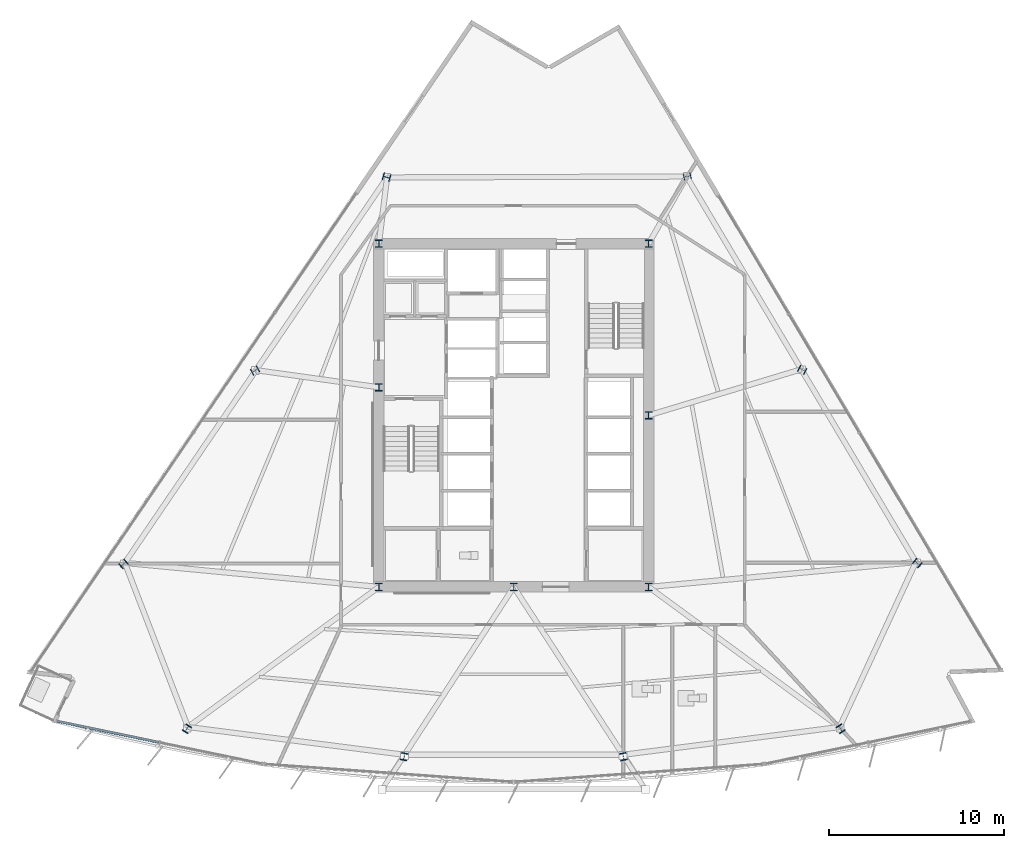
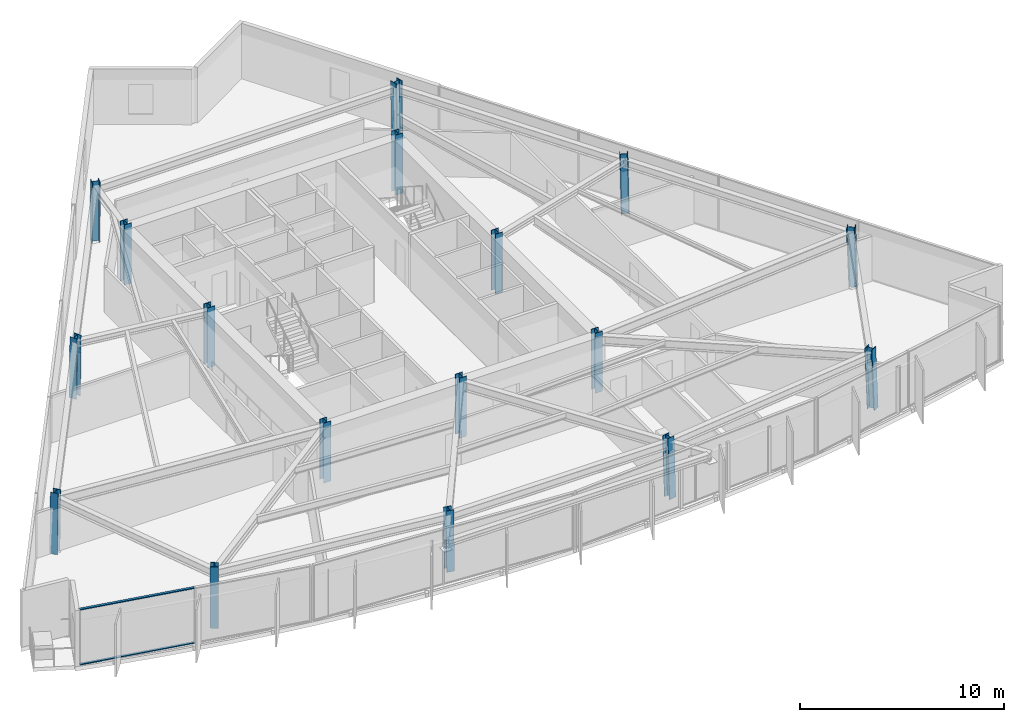
# One storey, part 1 of 15: 17 columns, 2 members, 1 element without a shape of its own.
"""IFC4 building model written with IfcOpenShell, lengths in metres."""

from ifc_helpers import new_model, si_unit, direction, frame, origin, origin_2d, place, context, subcontext, project, spatial, rectangle, i_section, extrude, material, material_profile, profile_set, type_object, element, aggregate, save


model = new_model("IFC4")

# Units and contexts
model_context = context("Model", 3, precision=1e-05, world=origin(), true_north=direction((0.0, 1.0)))
body_context = subcontext(model_context, "Body", "Model", "MODEL_VIEW")
ifc_project = project(units=[si_unit("LENGTHUNIT", "METRE"), si_unit("AREAUNIT", "SQUARE_METRE"), si_unit("VOLUMEUNIT", "CUBIC_METRE"), si_unit("PLANEANGLEUNIT", "RADIAN"), si_unit("MASSUNIT", "GRAM", prefix="KILO")], contexts=[model_context])

# Site, building, storey
site_placement = place(None, origin())
site = spatial("IfcSite", under=ifc_project, at=site_placement, CompositionType="ELEMENT")
building_placement = place(site_placement, origin())
building = spatial("IfcBuilding", under=site, at=building_placement, Name="Savorim Split Tower", CompositionType="ELEMENT")
storey_placement = place(building_placement, frame((0.0, 0.0, 111.300048828125)))
storey = spatial("IfcBuildingStorey", under=building, at=storey_placement, Name="L29", CompositionType="ELEMENT", Elevation=111.300048828125)

# Columns
ifc_material_1 = material(Name="Steel S460", Category="steel")
ifc_material_profile_1 = material_profile(ifc_material_1, i_section(OverallWidth=0.406005859375, OverallDepth=0.416015625, WebThickness=0.018798828125, FlangeThickness=0.031005859375, FilletRadius=0.014892578125, at=origin_2d()), Name="HD 400x382")
ifc_profile_set_1 = profile_set([ifc_material_profile_1], Name="Steel S460")
column_type_1 = type_object("IfcColumnType", Name="COL-HD-382", PredefinedType="COLUMN", material=ifc_profile_set_1)
column_1_placement = place(storey_placement, frame((-18.675048828125, -17.514404296875, 0.00537109375), z_axis=(0.020594847032, 0.03357707734, 0.999223914922), x_axis=(-0.852427604955, 0.522845271865, 0.0)))
element("IfcColumn", 1, at=column_1_placement, inside=storey, type_object=column_type_1, Name="L29 Tapered Perimeter Column PC-S1", PredefinedType="COLUMN", context=body_context, shape_type="SweptSolid", body=[
    extrude(i_section(OverallWidth=0.406005859375, OverallDepth=0.416015625, WebThickness=0.018798828125, FlangeThickness=0.031005859375, FilletRadius=0.014892578125, at=origin_2d()), origin(), (0.0, 0.0, 1.0), 3.591796875),
])
for number, where, z_axis, x_axis, name in (
    (2, (-6.259033203125, -19.1083984375, 0.00537109375), (0.00693381708, 0.03528089279, 0.999353381334), (-0.981229659911, 0.192842823335, 0.0), "L29 Tapered Perimeter Column PC-S2"),
    (3, (6.259033203125, -19.1083984375, 0.00537109375), (-0.00693381708, 0.03528089279, 0.999353381334), (-0.981229659911, -0.192842823335, 0.0), "L29 Tapered Perimeter Column PC-S3"),
):
    element("IfcColumn", number, at=place(storey_placement, frame(where, z_axis=z_axis, x_axis=x_axis)), inside=storey, type_object=column_type_1, Name=name, PredefinedType="COLUMN", context=body_context, shape_type="SweptSolid", body=[
        extrude(i_section(OverallWidth=0.406005859375, OverallDepth=0.416015625, WebThickness=0.018798828125, FlangeThickness=0.031005859375, FilletRadius=0.014892578125, at=origin_2d()), origin(), (0.0, 0.0, 1.0), 3.591552734375),
    ])
column_2_placement = place(storey_placement, frame((18.675048828125, -17.514404296875, 0.00537109375), z_axis=(-0.020594847032, 0.03357707734, 0.999223914922), x_axis=(-0.852427604955, -0.522845271865, 0.0)))
element("IfcColumn", 4, at=column_2_placement, inside=storey, type_object=column_type_1, Name="L29 Tapered Perimeter Column PC-S4", PredefinedType="COLUMN", context=body_context, shape_type="SweptSolid", body=[
    extrude(i_section(OverallWidth=0.406005859375, OverallDepth=0.416015625, WebThickness=0.018798828125, FlangeThickness=0.031005859375, FilletRadius=0.014892578125, at=origin_2d()), origin(), (0.0, 0.0, 1.0), 3.591796875),
])
column_3_placement = place(storey_placement, frame((23.05029296875, -8.053955078125, 0.00537109375), z_axis=(-0.026037725696, 0.021618790526, 0.9994271683), x_axis=(-0.638800249892, -0.769372628015, 0.0)))
element("IfcColumn", 5, at=column_3_placement, inside=storey, type_object=column_type_1, Name="L29 Tapered Perimeter Column PC-E1", PredefinedType="COLUMN", context=body_context, shape_type="SweptSolid", body=[
    extrude(i_section(OverallWidth=0.406005859375, OverallDepth=0.416015625, WebThickness=0.018798828125, FlangeThickness=0.031005859375, FilletRadius=0.014892578125, at=origin_2d()), origin(), (0.0, 0.0, 1.0), 3.591064453125),
])
column_4_placement = place(storey_placement, frame((16.481689453125, 2.992919921875, 0.00537109375), z_axis=(-0.018906041, 0.009521027842, 0.999775930718), x_axis=(-0.449781931574, -0.893138406984, 0.0)))
element("IfcColumn", 6, at=column_4_placement, inside=storey, type_object=column_type_1, Name="L29 Tapered Perimeter Column PC-E2", PredefinedType="COLUMN", context=body_context, shape_type="SweptSolid", body=[
    extrude(i_section(OverallWidth=0.406005859375, OverallDepth=0.416015625, WebThickness=0.018798828125, FlangeThickness=0.031005859375, FilletRadius=0.014892578125, at=origin_2d()), origin(), (0.0, 0.0, 1.0), 3.58984375),
])
for number, where, z_axis, x_axis, name in (
    (7, (9.9130859375, 14.039794921875, 0.00537109375), (-0.011767052893, -0.002584670578, 0.999927425339), (0.214538664031, -0.976715496773, 0.0), "L29 Tapered Perimeter Column PC-E3"),
    (8, (-7.26318359375, 13.990966796875, 0.00537109375), (0.008842560589, -0.00258474848, 0.999957563198), (0.280566991813, 0.959834445675, 0.0), "L29 Tapered Perimeter Column PC-W1"),
):
    element("IfcColumn", number, at=place(storey_placement, frame(where, z_axis=z_axis, x_axis=x_axis)), inside=storey, type_object=column_type_1, Name=name, PredefinedType="COLUMN", context=body_context, shape_type="SweptSolid", body=[
        extrude(i_section(OverallWidth=0.406005859375, OverallDepth=0.416015625, WebThickness=0.018798828125, FlangeThickness=0.031005859375, FilletRadius=0.014892578125, at=origin_2d()), origin(), (0.0, 0.0, 1.0), 3.58935546875),
    ])
column_5_placement = place(storey_placement, frame((-14.778076171875, 2.944091796875, 0.00537109375), z_axis=(0.017070406608, 0.009521342331, 0.99980895438), x_axis=(-0.487119351792, 0.873335409284, 0.0)))
element("IfcColumn", 9, at=column_5_placement, inside=storey, type_object=column_type_1, Name="L29 Tapered Perimeter Column PC-W2", PredefinedType="COLUMN", context=body_context, shape_type="SweptSolid", body=[
    extrude(i_section(OverallWidth=0.406005859375, OverallDepth=0.416015625, WebThickness=0.018798828125, FlangeThickness=0.031005859375, FilletRadius=0.014892578125, at=origin_2d()), origin(), (0.0, 0.0, 1.0), 3.58984375),
])
column_6_placement = place(storey_placement, frame((-22.29296875, -8.102783203125, 0.00537109375), z_axis=(0.025222449659, 0.021619242565, 0.999448065876), x_axis=(-0.650791373456, 0.759256602365, 0.0)))
element("IfcColumn", 10, at=column_6_placement, inside=storey, type_object=column_type_1, Name="L29 Tapered Perimeter Column PC-W3", PredefinedType="COLUMN", context=body_context, shape_type="SweptSolid", body=[
    extrude(i_section(OverallWidth=0.406005859375, OverallDepth=0.416015625, WebThickness=0.018798828125, FlangeThickness=0.031005859375, FilletRadius=0.014892578125, at=origin_2d()), origin(), (0.0, 0.0, 1.0), 3.591064453125),
])
ifc_material_profile_2 = material_profile(ifc_material_1, i_section(OverallWidth=0.408935546875, OverallDepth=0.425048828125, WebThickness=0.020751953125, FlangeThickness=0.033935546875, FilletRadius=0.014892578125, at=origin_2d()), Name="HD 400x421")
ifc_profile_set_2 = profile_set([ifc_material_profile_2], Name="Steel S460")
column_type_2 = type_object("IfcColumnType", Name="COL-HD-421", PredefinedType="COLUMN", material=ifc_profile_set_2)
for number, where, z_axis, x_axis, name in (
    (11, (-7.699951171875, -9.39990234375, 0.0), (0.0, 0.0, 1.0), (1.0, 0.0, 0.0), "L29 Core Structural Column TC-C1"),
    (12, (7.699951171875, -9.39990234375, 0.0), (0.0, 0.0, 1.0), (1.0, 0.0, 0.0), "L29 Core Structural Column TC-C2"),
    (13, (7.699951171875, 10.199951171875, 0.0), (0.0, 0.0, 1.0), (1.0, 0.0, 0.0), "L29 Core Structural Column TC-C3"),
    (14, (-7.699951171875, 10.199951171875, 0.0), (0.0, 0.0, 1.0), (1.0, 0.0, 0.0), "L29 Core Structural Column TC-C4"),
    (15, (0.0, -9.39990234375, 0.0), (0.0, 0.0, 1.0), (1.0, 0.0, 0.0), "L29 Core Structural Column TC-C5"),
    (16, (7.699951171875, 0.39990234375, 0.0), (0.0, 0.0, 1.0), (1.0, 0.0, 0.0), "L29 Core Structural Column TC-C6"),
    (17, (-7.699951171875, 2.0, 0.0), (0.0, 0.0, 1.0), (1.0, 0.0, 0.0), "L29 Core Structural Column TC-C7"),
):
    element("IfcColumn", number, at=place(storey_placement, frame(where, z_axis=z_axis, x_axis=x_axis)), inside=storey, type_object=column_type_2, Name=name, PredefinedType="COLUMN", context=body_context, shape_type="SweptSolid", body=[
        extrude(i_section(OverallWidth=0.408935546875, OverallDepth=0.425048828125, WebThickness=0.020751953125, FlangeThickness=0.033935546875, FilletRadius=0.014892578125, at=origin_2d()), origin(), (0.0, 0.0, 1.0), 3.599853515625),
    ])

# Curtain wall, members
ifc_material_2 = material(Name="Dark Ceramic-Fritted Insulated Glass", Category="glass")
curtain_wall_type = type_object("IfcCurtainWallType", Name="CW-TWR-FRIT-A", PredefinedType="NOTDEFINED", material=ifc_material_2)
curtain_wall_placement = place(storey_placement, origin())
curtain_wall = element("IfcCurtainWall", 18, at=curtain_wall_placement, inside=storey, type_object=curtain_wall_type, Name="L29 Curtain Wall CW-L29-SF1", PredefinedType="NOTDEFINED")
ifc_material_3 = material(Name="Charcoal Anodised Aluminium", Category="aluminium")
ifc_material_profile_3 = material_profile(ifc_material_3, rectangle(XDim=0.139892578125, YDim=0.054931640625, at=origin_2d()), Name="ALU-T 140x55")
ifc_profile_set_3 = profile_set([ifc_material_profile_3], Name="Charcoal Anodised Aluminium")
member_type = type_object("IfcMemberType", Name="CWT-140x55", PredefinedType="USERDEFINED", material=ifc_profile_set_3)
member_1_placement = place(storey_placement, frame((-26.0517578125, -17.065185546875, 0.02734375), z_axis=(0.979131977298, -0.203225419257, 0.0), x_axis=(0.203225419257, 0.979131977298, 0.0)))
member_1 = element("IfcMember", 19, at=member_1_placement, type_object=member_type, Name="CW-02 transom 1.1", ObjectType="TRANSOM", PredefinedType="USERDEFINED", context=body_context, shape_type="SweptSolid", body=[
    extrude(rectangle(XDim=0.139892578125, YDim=0.054931640625, at=origin_2d()), origin(), (0.0, 0.0, 1.0), 5.912841796875),
])
member_2_placement = place(storey_placement, frame((-26.0517578125, -17.065185546875, 3.322509765625), z_axis=(0.979131977298, -0.203225419257, 0.0), x_axis=(0.203225419257, 0.979131977298, 0.0)))
member_2 = element("IfcMember", 20, at=member_2_placement, type_object=member_type, Name="CW-02 transom 1.2", ObjectType="TRANSOM", PredefinedType="USERDEFINED", context=body_context, shape_type="SweptSolid", body=[
    extrude(rectangle(XDim=0.139892578125, YDim=0.054931640625, at=origin_2d()), origin(), (0.0, 0.0, 1.0), 5.912841796875),
])
aggregate(curtain_wall, [member_1, member_2])

save(model, "model.ifc")
